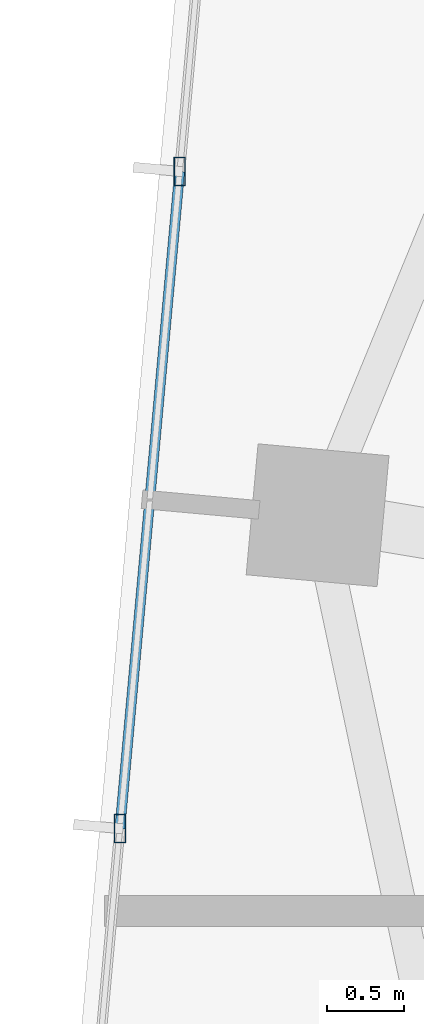
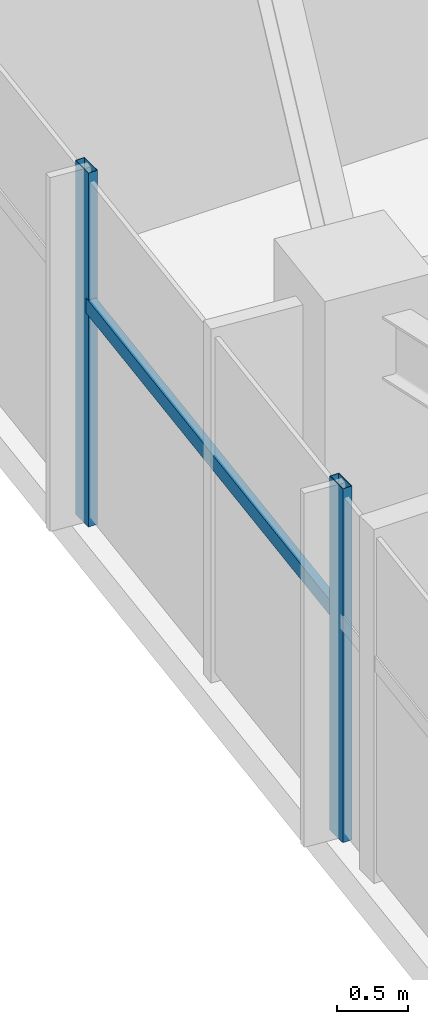
# One storey, part 4 of 22: 3 members, 1 element without a shape of its own.
"""IFC4 building model written with IfcOpenShell, lengths in metres."""

from ifc_helpers import new_model, si_unit, direction, frame, origin, origin_2d, place, context, subcontext, project, spatial, hollow_rectangle, extrude, source, transform, mapped, material, material_profile, profile_set, type_object, type_shapes, element, aggregate, save


model = new_model("IFC4")

# Units and contexts
model_context = context("Model", 3, precision=1e-05, world=origin(), true_north=direction((0.0, 1.0)))
body_context = subcontext(model_context, "Body", "Model", "MODEL_VIEW")
ifc_project = project(units=[si_unit("LENGTHUNIT", "METRE"), si_unit("AREAUNIT", "SQUARE_METRE"), si_unit("VOLUMEUNIT", "CUBIC_METRE"), si_unit("PLANEANGLEUNIT", "RADIAN"), si_unit("MASSUNIT", "GRAM", prefix="KILO")], contexts=[model_context])

# Site, building, storey
site_placement = place(None, origin())
site = spatial("IfcSite", under=ifc_project, at=site_placement, CompositionType="ELEMENT")
building_placement = place(site_placement, origin())
building = spatial("IfcBuilding", under=site, at=building_placement, Name="Astriad Promenade Condominiums", CompositionType="ELEMENT")
storey_placement = place(building_placement, frame((0.0, 0.0, 226.5)))
storey = spatial("IfcBuildingStorey", under=building, at=storey_placement, Name="L65", CompositionType="ELEMENT", Elevation=226.5)

# Curtain wall, members
ifc_material_1 = material(Name="Anodised aluminium Black Dark Glass Unitised", Category="aluminium")
curtain_wall_type = type_object("IfcCurtainWallType", Name="CW-B5-DARK", PredefinedType="USERDEFINED", material=ifc_material_1)
curtain_wall_placement = place(storey_placement, origin())
curtain_wall = element("IfcCurtainWall", 1, at=curtain_wall_placement, inside=storey, type_object=curtain_wall_type, Name="CW-L65-W", ObjectType="UNITISED_CURTAIN_WALL", PredefinedType="USERDEFINED")
ifc_material_2 = material(Name="Anodised aluminium 6063-T6 Black", Category="aluminium")
ifc_material_profile_1 = material_profile(ifc_material_2, hollow_rectangle(XDim=0.06494140625, YDim=0.1298828125, WallThickness=0.00390625, at=origin_2d()), Name="ALU-TRN-65X130")
ifc_profile_set_1 = profile_set([ifc_material_profile_1], Name="Anodised aluminium 6063-T6 Black")
member_type_1 = type_object("IfcMemberType", Name="TRN-ALU-TRN-65X130", PredefinedType="USERDEFINED", material=ifc_profile_set_1)
shared_shape_1 = source(origin(), body_context, "Body", "SweptSolid", [
    extrude(hollow_rectangle(XDim=0.06494140625, YDim=0.1298828125, WallThickness=0.00390625, at=origin_2d()), origin(), (0.0, 0.0, 1.0), 4.266845703125),
])
type_shapes(member_type_1, [shared_shape_1])
member_1_placement = place(storey_placement, frame((9.4326171875, 17.984375, 1.884765625), z_axis=(0.090577018386, 0.995889453574, 0.0), x_axis=(-0.995889453574, 0.090577018386, 0.0)))
member_1 = element("IfcMember", 2, at=member_1_placement, type_object=member_type_1, Name="CW-L65-W-TRN-01-0", ObjectType="TRANSOM", PredefinedType="USERDEFINED", context=body_context, shape_type="MappedRepresentation", body=[
    mapped(shared_shape_1, transform((0.0, 0.0, 0.0), scale=1.0)),
])
ifc_material_profile_2 = material_profile(ifc_material_2, hollow_rectangle(XDim=0.074951171875, YDim=0.18505859375, WallThickness=0.00439453125, at=origin_2d()), Name="ALU-MUL-75X185")
ifc_profile_set_2 = profile_set([ifc_material_profile_2], Name="Anodised aluminium 6063-T6 Black")
member_type_2 = type_object("IfcMemberType", Name="MUL-ALU-MUL-75X185", PredefinedType="MULLION", material=ifc_profile_set_2)
shared_shape_2 = source(origin(), body_context, "Body", "SweptSolid", [
    extrude(hollow_rectangle(XDim=0.074951171875, YDim=0.18505859375, WallThickness=0.00439453125, at=origin_2d()), origin(), (0.0, 0.0, 1.0), 3.0400390625),
])
type_shapes(member_type_2, [shared_shape_2])
member_2_placement = place(storey_placement, frame((9.4326171875, 17.984375, 0.0), z_axis=(0.0, 0.0, 1.0), x_axis=(1.0, 0.0, 0.0)))
member_2 = element("IfcMember", 3, at=member_2_placement, type_object=member_type_2, Name="CW-L65-W-MUL-01", PredefinedType="MULLION", context=body_context, shape_type="MappedRepresentation", body=[
    mapped(shared_shape_2, transform((0.0, 0.0, 0.0), scale=1.0)),
])
member_3_placement = place(storey_placement, frame((9.819091796875, 22.233642578125, 0.0), z_axis=(0.0, 0.0, 1.0), x_axis=(1.0, 0.0, 0.0)))
member_3 = element("IfcMember", 4, at=member_3_placement, type_object=member_type_2, Name="CW-L65-W-MUL-02", PredefinedType="MULLION", context=body_context, shape_type="MappedRepresentation", body=[
    mapped(shared_shape_2, transform((0.0, 0.0, 0.0), scale=1.0)),
])
aggregate(curtain_wall, [member_2, member_3, member_1])

save(model, "model.ifc")
